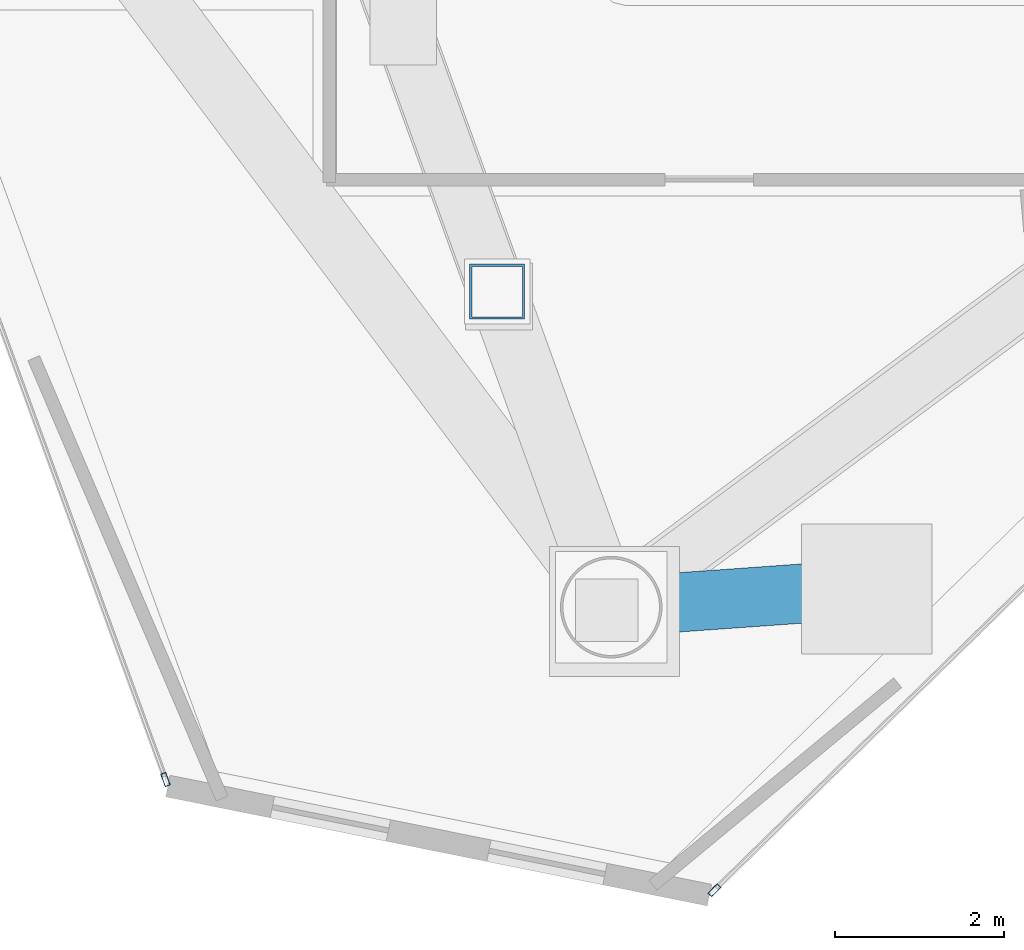
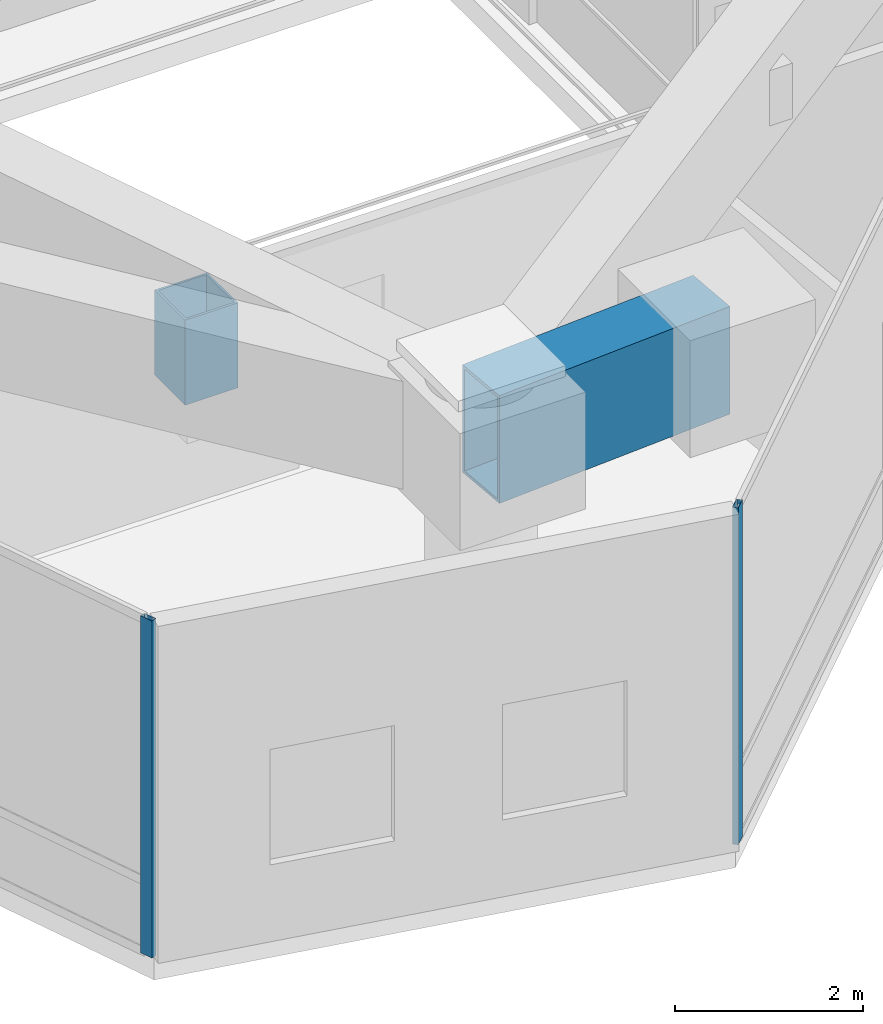
# One storey, part 2 of 20: 3 members, 1 beam, 2 elements without a shape of their own.
"""IFC4 building model written with IfcOpenShell, lengths in metres."""

from ifc_helpers import new_model, si_unit, direction, frame, origin, origin_2d, place, context, subcontext, project, spatial, hollow_rectangle, extrude, material, layer, layer_set, material_profile, profile_set, type_object, element, aggregate, save


model = new_model("IFC4")

# Units and contexts
model_context = context("Model", 3, precision=1e-05, world=origin(), true_north=direction((0.0, 1.0)))
body_context = subcontext(model_context, "Body", "Model", "MODEL_VIEW")
ifc_project = project(units=[si_unit("LENGTHUNIT", "METRE"), si_unit("AREAUNIT", "SQUARE_METRE"), si_unit("VOLUMEUNIT", "CUBIC_METRE"), si_unit("PLANEANGLEUNIT", "RADIAN"), si_unit("MASSUNIT", "GRAM", prefix="KILO")], contexts=[model_context])

# Site, building, storey
site_placement = place(None, origin())
site = spatial("IfcSite", under=ifc_project, at=site_placement, CompositionType="ELEMENT")
building_placement = place(site_placement, origin())
building = spatial("IfcBuilding", under=site, at=building_placement, Name="Qianvela Tower", CompositionType="ELEMENT")
storey_placement = place(building_placement, frame((0.0, 0.0, 229.89990234375)))
storey = spatial("IfcBuildingStorey", under=building, at=storey_placement, Name="L59", CompositionType="ELEMENT", Elevation=229.89990234375)

# Beam
ifc_material_1 = material(Name="Steel Q420GJC", Category="steel")
ifc_material_profile_1 = material_profile(ifc_material_1, hollow_rectangle(XDim=0.699951171875, YDim=1.39990234375, WallThickness=0.0400390625, at=origin_2d()), Name="TG-BOX-1400x700x40")
ifc_profile_set_1 = profile_set([ifc_material_profile_1], Name="Steel Q420GJC")
beam_type = type_object("IfcBeamType", Name="BM-TG-STEP-1400", PredefinedType="BEAM", material=ifc_profile_set_1)
beam_placement = place(storey_placement, frame((33.4130859375, 10.531005859375, 3.677978515625), z_axis=(0.997463298059, 0.071182645538, 0.0), x_axis=(-0.071182645538, 0.997463298059, 0.0)))
element("IfcBeam", 1, at=beam_placement, inside=storey, type_object=beam_type, Name="L59 Zone-Step Transfer Girder 5", PredefinedType="BEAM", context=body_context, shape_type="SweptSolid", body=[
    extrude(hollow_rectangle(XDim=0.699951171875, YDim=1.39990234375, WallThickness=0.0400390625, at=origin_2d()), origin(), (0.0, 0.0, 1.0), 2.96337890625),
])

# Curtain wall, member
ifc_material_2 = material(Name="Anodised Architectural Aluminium and Low-E Glass", Category="aluminium")
ifc_layer = layer(ifc_material_2, 0.159912109375)
ifc_layer_set = layer_set([ifc_layer], Name="Anodised Architectural Aluminium and Low-E Glass")
curtain_wall_type = type_object("IfcCurtainWallType", Name="CW-COLIV-Z56", PredefinedType="USERDEFINED", material=ifc_layer_set)
curtain_wall_1_placement = place(storey_placement, origin())
curtain_wall_1 = element("IfcCurtainWall", 2, at=curtain_wall_1_placement, inside=storey, type_object=curtain_wall_type, Name="L59 CW-COLIV-Z56 Curtain Wall 04C", ObjectType="CURTAIN_WALL_SYSTEM", PredefinedType="USERDEFINED")
ifc_material_3 = material(Name="Anodised Architectural Aluminium 6063-T6", Category="aluminium")
ifc_material_profile_2 = material_profile(ifc_material_3, hollow_rectangle(XDim=0.06494140625, YDim=0.159912109375, WallThickness=0.0048828125, at=origin_2d()), Name="ALU-MULL-65x160")
ifc_profile_set_2 = profile_set([ifc_material_profile_2], Name="Anodised Architectural Aluminium 6063-T6")
member_type_1 = type_object("IfcMemberType", Name="CW-COLIV-Z56-MULL", PredefinedType="MULLION", material=ifc_profile_set_2)
member_1_placement = place(storey_placement, frame((28.14501953125, 8.494140625, 0.0), z_axis=(0.0, 0.0, 1.0), x_axis=(0.939693762699, 0.34201700593, 0.0)))
member_1 = element("IfcMember", 3, at=member_1_placement, type_object=member_type_1, Name="CW-5 mullion 2", PredefinedType="MULLION", context=body_context, shape_type="SweptSolid", body=[
    extrude(hollow_rectangle(XDim=0.06494140625, YDim=0.159912109375, WallThickness=0.0048828125, at=origin_2d()), origin(), (0.0, 0.0, 1.0), 4.380126953125),
])
aggregate(curtain_wall_1, [member_1])

curtain_wall_2_placement = place(storey_placement, origin())
curtain_wall_2 = element("IfcCurtainWall", 4, at=curtain_wall_2_placement, inside=storey, type_object=curtain_wall_type, Name="L59 CW-COLIV-Z56 Curtain Wall 06A", ObjectType="CURTAIN_WALL_SYSTEM", PredefinedType="USERDEFINED")
member_2_placement = place(storey_placement, frame((34.6328125, 7.185302734375, 0.0), z_axis=(0.0, 0.0, 1.0), x_axis=(-0.699078624574, 0.715044807452, 0.0)))
member_2 = element("IfcMember", 5, at=member_2_placement, type_object=member_type_1, Name="CW-5 mullion 1", PredefinedType="MULLION", context=body_context, shape_type="SweptSolid", body=[
    extrude(hollow_rectangle(XDim=0.06494140625, YDim=0.159912109375, WallThickness=0.0048828125, at=origin_2d()), origin(), (0.0, 0.0, 1.0), 4.380126953125),
])
aggregate(curtain_wall_2, [member_2])

# Member
ifc_material_4 = material(Name="Steel Q420GJC", Category="steel")
ifc_material_profile_3 = material_profile(ifc_material_4, hollow_rectangle(XDim=0.64990234375, YDim=0.64990234375, WallThickness=0.028076171875, at=origin_2d()), Name="OBOX-650x650x28")
ifc_profile_set_3 = profile_set([ifc_material_profile_3], Name="Steel Q420GJC")
member_type_2 = type_object("IfcMemberType", Name="MBR-OUTRIG-650", PredefinedType="BRACE", material=ifc_profile_set_3)
member_3_placement = place(storey_placement, frame((32.0654296875, 14.26025390625, 2.572998046875), z_axis=(0.0, 0.0, 1.0), x_axis=(1.0, 0.0, 0.0)))
element("IfcMember", 6, at=member_3_placement, inside=storey, type_object=member_type_2, Name="L59 Radial Outrigger Web Post 5B", PredefinedType="BRACE", context=body_context, shape_type="SweptSolid", body=[
    extrude(hollow_rectangle(XDim=0.64990234375, YDim=0.64990234375, WallThickness=0.028076171875, at=origin_2d()), origin(), (0.0, 0.0, 1.0), 1.10498046875),
])

save(model, "model.ifc")
